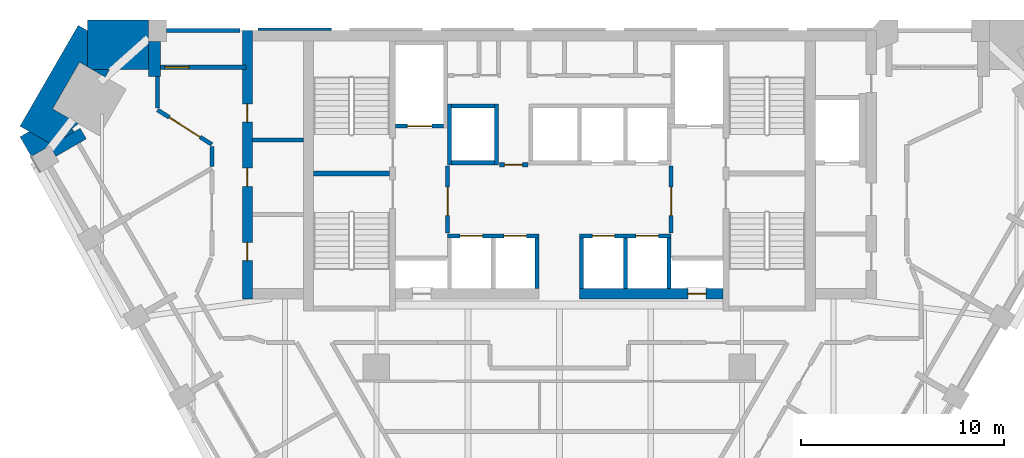
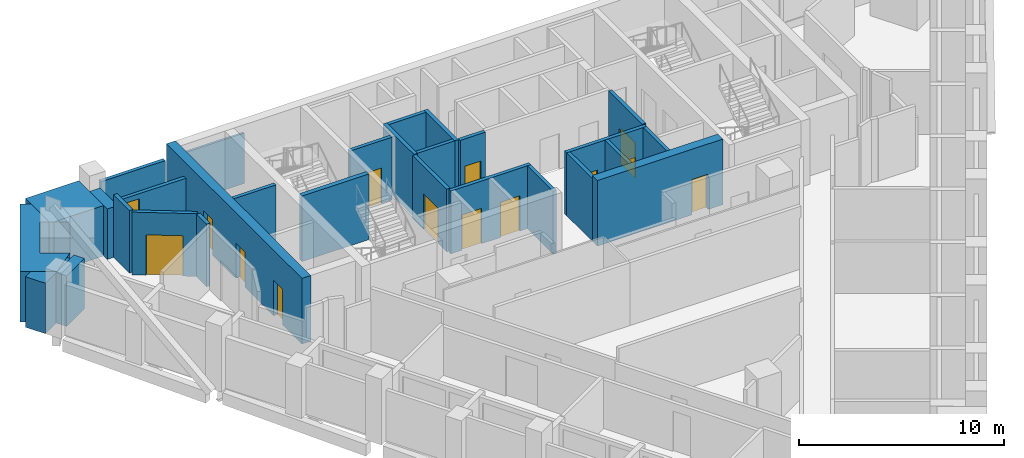
# One storey, part 5 of 9: 30 walls, 14 doors, 14 openings.
"""IFC4 building model written with IfcOpenShell, lengths in metres."""

from ifc_helpers import new_model, si_unit, direction, frame, frame_2d, origin, place, context, subcontext, project, spatial, polyline, rectangle, outline, extrude, material, layer, layer_set, type_object, element, fill, save


model = new_model("IFC4")

# Units and contexts
model_context = context("Model", 3, precision=1e-05, world=origin(), true_north=direction((0.0, 1.0)))
body_context = subcontext(model_context, "Body", "Model", "MODEL_VIEW")
ifc_project = project(units=[si_unit("LENGTHUNIT", "METRE"), si_unit("AREAUNIT", "SQUARE_METRE"), si_unit("VOLUMEUNIT", "CUBIC_METRE"), si_unit("PLANEANGLEUNIT", "RADIAN"), si_unit("MASSUNIT", "GRAM", prefix="KILO")], contexts=[model_context])

# Site, building, storey
site_placement = place(None, origin())
site = spatial("IfcSite", under=ifc_project, at=site_placement, CompositionType="ELEMENT")
building_placement = place(site_placement, origin())
building = spatial("IfcBuilding", under=site, at=building_placement, Name="Calabash Gate Tower", CompositionType="ELEMENT")
storey_placement = place(building_placement, frame((0.0, 0.0, 168.0)))
storey = spatial("IfcBuildingStorey", under=building, at=storey_placement, Name="L39", CompositionType="ELEMENT", Elevation=168.0)

# Walls
ifc_material_1 = material(Name="Terracotta brick masonry, exposed face", Category="masonry")
ifc_layer_1 = layer(ifc_material_1, 2.425048828125)
ifc_layer_set_1 = layer_set([ifc_layer_1], Name="Brick corner mass wall 2425")
wall_type_1 = type_object("IfcWallType", Name="Brick corner mass wall 2425", PredefinedType="SOLIDWALL", material=ifc_layer_set_1)
wall_1_placement = place(storey_placement, origin())
element("IfcWall", 1, at=wall_1_placement, inside=storey, type_object=wall_type_1, Name="Brick corner pier S11 4a", PredefinedType="SOLIDWALL", context=body_context, shape_type="SweptSolid", body=[
    extrude(outline(polyline([(-23.010986328125, 17.152587890625), (-20.220458984375, 17.152587890625), (-20.220458984375, 19.57763671875), (-23.2216796875, 19.57763671875), (-23.2216796875, 17.274169921875), (-23.010986328125, 17.152587890625)])), origin(), (0.0, 0.0, 1.0), 3.0),
])
wall_2_placement = place(storey_placement, origin())
element("IfcWall", 2, at=wall_2_placement, inside=storey, type_object=wall_type_1, Name="Brick corner pier S11 4ba", PredefinedType="SOLIDWALL", context=body_context, shape_type="SweptSolid", body=[
    extrude(outline(polyline([(-23.67138671875, 14.473876953125), (-24.93603515625, 15.2041015625), (-23.611083984375, 17.4990234375), (-23.2216796875, 17.274169921875), (-23.2216796875, 19.052490234375), (-23.676513671875, 19.31494140625), (-26.541748046875, 14.352294921875), (-24.970458984375, 13.4453125), (-23.67138671875, 14.473876953125)])), origin(), (0.0, 0.0, 1.0), 3.0),
])
wall_3_placement = place(storey_placement, origin())
element("IfcWall", 3, at=wall_3_placement, inside=storey, type_object=wall_type_1, Name="Brick corner pier S11 4bb", PredefinedType="SOLIDWALL", context=body_context, shape_type="SweptSolid", body=[
    extrude(outline(polyline([(-22.124755859375, 17.152587890625), (-23.010986328125, 17.152587890625), (-22.346435546875, 16.768798828125), (-22.124755859375, 17.152587890625)])), origin(), (0.0, 0.0, 1.0), 3.0),
])
wall_4_placement = place(storey_placement, origin())
element("IfcWall", 4, at=wall_4_placement, inside=storey, type_object=wall_type_1, Name="Brick corner pier S11 4c", PredefinedType="SOLIDWALL", context=body_context, shape_type="SweptSolid", body=[
    extrude(outline(polyline([(-23.9755859375, 14.23291015625), (-24.970458984375, 13.4453125), (-26.0869140625, 14.08984375), (-26.541748046875, 13.827392578125), (-25.9833984375, 12.8603515625), (-25.07421875, 13.38525390625), (-25.07421875, 13.38525390625), (-23.88330078125, 14.07275390625), (-23.9755859375, 14.23291015625)])), origin(), (0.0, 0.0, 1.0), 3.0),
])
ifc_material_2 = material(Name="Terracotta brick masonry, exposed face", Category="masonry")
ifc_layer_2 = layer(ifc_material_2, 0.300048828125)
ifc_layer_set_2 = layer_set([ifc_layer_2], Name="Brick loggia cheek wall 300")
wall_type_2 = type_object("IfcWallType", Name="Brick loggia cheek wall 300", PredefinedType="SOLIDWALL", material=ifc_layer_set_2)
wall_5_placement = place(storey_placement, frame((-24.924072265625, 13.12548828125, 0.0), z_axis=(0.0, 0.0, 1.0), x_axis=(0.866013532718, 0.500020560727, 0.0)))
element("IfcWall", 5, at=wall_5_placement, inside=storey, type_object=wall_type_2, Name="Loggia cheek S11 SW0.0", PredefinedType="SOLIDWALL", context=body_context, shape_type="SweptSolid", body=[
    extrude(rectangle(XDim=1.72509765625, YDim=0.60009765625, at=frame_2d((0.862548828125, 0.0))), origin(), (0.0, 0.0, 1.0), 3.0),
])
wall_6_placement = place(storey_placement, origin())
element("IfcWall", 6, at=wall_6_placement, inside=storey, type_object=wall_type_2, Name="Loggia cheek S11 N6.9", PredefinedType="SOLIDWALL", context=body_context, shape_type="SweptSolid", body=[
    extrude(outline(polyline([(-20.220458984375, 18.527587890625), (-20.220458984375, 16.802490234375), (-19.620361328125, 16.802490234375), (-19.620361328125, 18.527587890625), (-20.220458984375, 18.527587890625)])), origin(), (0.0, 0.0, 1.0), 3.0),
])
ifc_material_3 = material(Name="Gypsum board on steel studs, mineral wool", Category="steel")
ifc_layer_3 = layer(ifc_material_3, 0.199951171875)
ifc_layer_set_3 = layer_set([ifc_layer_3], Name="Core partition 200 gypsum board")
wall_type_3 = type_object("IfcWallType", Name="Core partition 200 gypsum board", PredefinedType="PARTITIONING", material=ifc_layer_set_3)
wall_7_placement = place(storey_placement, frame((-15.10009765625, 13.672607421875, 0.0), z_axis=(0.0, 0.0, 1.0), x_axis=(1.0, 0.0, 0.0)))
element("IfcWall", 7, at=wall_7_placement, inside=storey, type_object=wall_type_3, Name="Core partition", PredefinedType="PARTITIONING", context=body_context, shape_type="SweptSolid", body=[
    extrude(rectangle(XDim=2.5, YDim=0.199951171875, at=frame_2d((1.25, 0.0))), origin(), (0.0, 0.0, 1.0), 3.72998046875),
])
ifc_material_4 = material(Name="Concrete C70/85", Category="concrete")
ifc_layer_4 = layer(ifc_material_4, 0.25)
ifc_layer_set_4 = layer_set([ifc_layer_4], Name="Core wall 250 Concrete C70/85")
wall_type_4 = type_object("IfcWallType", Name="Core wall 250 Concrete C70/85", PredefinedType="SHEAR", material=ifc_layer_set_4)
wall_8_placement = place(storey_placement, frame((-12.10009765625, 12.027587890625, 0.0), z_axis=(0.0, 0.0, 1.0), x_axis=(1.0, 0.0, 0.0)))
element("IfcWall", 8, at=wall_8_placement, inside=storey, type_object=wall_type_4, Name="Core wall Z3-MIDW L39", PredefinedType="SHEAR", context=body_context, shape_type="SweptSolid", body=[
    extrude(rectangle(XDim=3.75, YDim=0.25, at=frame_2d((1.875, 0.0))), origin(), (0.0, 0.0, 1.0), 3.89990234375),
])

# Wall, opening, door
ifc_material_5 = material(Name="Concrete C70/85", Category="concrete")
ifc_layer_5 = layer(ifc_material_5, 0.5)
ifc_layer_set_5 = layer_set([ifc_layer_5], Name="Core wall 500 Concrete C70/85")
wall_type_5 = type_object("IfcWallType", Name="Core wall 500 Concrete C70/85", PredefinedType="SHEAR", material=ifc_layer_set_5)
wall_9_placement = place(storey_placement, frame((1.0, 6.1025390625, 0.0), z_axis=(0.0, 0.0, 1.0), x_axis=(1.0, 0.0, 0.0)))
wall_9 = element("IfcWall", 9, at=wall_9_placement, inside=storey, type_object=wall_type_5, Name="Core wall Z3-SB L39", PredefinedType="SHEAR", context=body_context, shape_type="SweptSolid", body=[
    extrude(rectangle(XDim=7.050048828125, YDim=0.5, at=frame_2d((3.52490234375, 0.0))), origin(), (0.0, 0.0, 1.0), 3.89990234375),
])
opening_1_placement = place(wall_9_placement, frame((5.324951171875, 0.0, 0.0)))
opening_1 = element("IfcOpeningElement", 10, at=opening_1_placement, cuts=wall_9, Name="Opening O3-015", PredefinedType="OPENING", context=body_context, shape_type="SweptSolid", body=[
    extrude(rectangle(XDim=0.89990234375, YDim=2.10009765625, at=frame_2d((0.449951171875, 1.050048828125))), frame((0.0, 0.260009765625, 0.0), z_axis=(0.0, -1.0, 0.0), x_axis=(1.0, 0.0, 0.0)), (0.0, 0.0, 1.0), 0.52001953125),
])
ifc_material_6 = material(Name="Steel fire door set with fire-resisting glazing", Category="steel")
door_type_1 = type_object("IfcDoorType", Name="Fire door D07 900x2100 FD90", OperationType="NOTDEFINED", PredefinedType="DOOR", material=ifc_material_6)
door_1_placement = place(opening_1_placement, origin())
door_1 = element("IfcDoor", 11, at=door_1_placement, inside=storey, type_object=door_type_1, Name="Mechanical Riser E door", OperationType="SINGLE_SWING_RIGHT", OverallHeight=2.10009765625, OverallWidth=0.89990234375, PredefinedType="DOOR", context=body_context, shape_type="SweptSolid", body=[
    extrude(rectangle(XDim=0.89990234375, YDim=2.10009765625, at=frame_2d((0.449951171875, 1.050048828125))), frame((0.0, 0.02490234375, 0.0), z_axis=(0.0, -1.0, 0.0), x_axis=(1.0, 0.0, 0.0)), (0.0, 0.0, 1.0), 0.050048828125),
])
fill(opening_1, door_1)

# Wall, openings, doors
wall_10_placement = place(storey_placement, frame((-15.35009765625, 5.8525390625, 0.0), z_axis=(0.0, 0.0, 1.0), x_axis=(0.0, 1.0, 0.0)))
wall_10 = element("IfcWall", 12, at=wall_10_placement, inside=storey, type_object=wall_type_5, Name="Core wall Z3-ENDW L39", PredefinedType="SHEAR", context=body_context, shape_type="SweptSolid", body=[
    extrude(rectangle(XDim=13.199951171875, YDim=0.5, at=frame_2d((6.60009765625, 0.0))), origin(), (0.0, 0.0, 1.0), 3.89990234375),
])
opening_2_placement = place(wall_10_placement, frame((1.8798828125, 0.0, 0.0)))
opening_2 = element("IfcOpeningElement", 13, at=opening_2_placement, cuts=wall_10, Name="Opening O3-004", PredefinedType="OPENING", context=body_context, shape_type="SweptSolid", body=[
    extrude(rectangle(XDim=0.89990234375, YDim=2.10009765625, at=frame_2d((0.449951171875, 1.050048828125))), frame((0.0, 0.260009765625, 0.0), z_axis=(0.0, -1.0, 0.0), x_axis=(1.0, 0.0, 0.0)), (0.0, 0.0, 1.0), 0.52001953125),
])
opening_3_placement = place(wall_10_placement, frame((5.5400390625, 0.0, 0.0)))
opening_3 = element("IfcOpeningElement", 14, at=opening_3_placement, cuts=wall_10, Name="Opening O3-005", PredefinedType="OPENING", context=body_context, shape_type="SweptSolid", body=[
    extrude(rectangle(XDim=0.89990234375, YDim=2.10009765625, at=frame_2d((0.449951171875, 1.050048828125))), frame((0.0, 0.260009765625, 0.0), z_axis=(0.0, -1.0, 0.0), x_axis=(1.0, 0.0, 0.0)), (0.0, 0.0, 1.0), 0.52001953125),
])
opening_4_placement = place(wall_10_placement, frame((8.697509765625, 0.0, 0.0)))
opening_4 = element("IfcOpeningElement", 15, at=opening_4_placement, cuts=wall_10, Name="Opening O3-006", PredefinedType="OPENING", context=body_context, shape_type="SweptSolid", body=[
    extrude(rectangle(XDim=0.89990234375, YDim=2.10009765625, at=frame_2d((0.449951171875, 1.050048828125))), frame((0.0, 0.260009765625, 0.0), z_axis=(0.0, -1.0, 0.0), x_axis=(1.0, 0.0, 0.0)), (0.0, 0.0, 1.0), 0.52001953125),
])
ifc_material_7 = material(Name="Steel fire door set with fire-resisting glazing", Category="steel")
door_type_2 = type_object("IfcDoorType", Name="Fire door D06 900x2100 FD60", OperationType="NOTDEFINED", PredefinedType="DOOR", material=ifc_material_7)
door_2_placement = place(opening_2_placement, origin())
door_2 = element("IfcDoor", 16, at=door_2_placement, inside=storey, type_object=door_type_2, Name="Cleaner's Store door", OperationType="SINGLE_SWING_LEFT", OverallHeight=2.10009765625, OverallWidth=0.89990234375, PredefinedType="DOOR", context=body_context, shape_type="SweptSolid", body=[
    extrude(rectangle(XDim=0.89990234375, YDim=2.10009765625, at=frame_2d((0.449951171875, 1.050048828125))), frame((0.0, 0.02490234375, 0.0), z_axis=(0.0, -1.0, 0.0), x_axis=(1.0, 0.0, 0.0)), (0.0, 0.0, 1.0), 0.050048828125),
])
fill(opening_2, door_2)
door_3_placement = place(opening_3_placement, origin())
door_3 = element("IfcDoor", 17, at=door_3_placement, inside=storey, type_object=door_type_2, Name="Print Room door", OperationType="SINGLE_SWING_LEFT", OverallHeight=2.10009765625, OverallWidth=0.89990234375, PredefinedType="DOOR", context=body_context, shape_type="SweptSolid", body=[
    extrude(rectangle(XDim=0.89990234375, YDim=2.10009765625, at=frame_2d((0.449951171875, 1.050048828125))), frame((0.0, 0.02490234375, 0.0), z_axis=(0.0, -1.0, 0.0), x_axis=(1.0, 0.0, 0.0)), (0.0, 0.0, 1.0), 0.050048828125),
])
fill(opening_3, door_3)
door_4_placement = place(opening_4_placement, origin())
door_4 = element("IfcDoor", 18, at=door_4_placement, inside=storey, type_object=door_type_2, Name="Meter Room door", OperationType="SINGLE_SWING_LEFT", OverallHeight=2.10009765625, OverallWidth=0.89990234375, PredefinedType="DOOR", context=body_context, shape_type="SweptSolid", body=[
    extrude(rectangle(XDim=0.89990234375, YDim=2.10009765625, at=frame_2d((0.449951171875, 1.050048828125))), frame((0.0, 0.02490234375, 0.0), z_axis=(0.0, -1.0, 0.0), x_axis=(1.0, 0.0, 0.0)), (0.0, 0.0, 1.0), 0.050048828125),
])
fill(opening_4, door_4)

# Wall
ifc_material_8 = material(Name="Gypsum board on steel studs, mineral wool", Category="steel")
ifc_layer_6 = layer(ifc_material_8, 0.199951171875)
ifc_layer_set_6 = layer_set([ifc_layer_6], Name="Partition 200 gypsum board EI 60")
wall_type_6 = type_object("IfcWallType", Name="Partition 200 gypsum board EI 60", PredefinedType="PARTITIONING", material=ifc_layer_set_6)
wall_11_placement = place(storey_placement, frame((-17.101806640625, 12.372314453125, 0.0), z_axis=(0.0, 0.0, 1.0), x_axis=(0.001245639293, 0.999999224191, 0.0)))
element("IfcWall", 19, at=wall_11_placement, inside=storey, type_object=wall_type_6, Name="Partition", PredefinedType="PARTITIONING", context=body_context, shape_type="SweptSolid", body=[
    extrude(rectangle(XDim=0.97998046875, YDim=0.199951171875, at=frame_2d((0.489990234375, 0.0))), origin(), (0.0, 0.0, 1.0), 3.72998046875),
])

# Wall, opening, door
wall_12_placement = place(storey_placement, frame((-19.770751953125, 15.15234375, 0.0), z_axis=(0.0, 0.0, 1.0), x_axis=(0.843553490885, -0.537045163851, 0.0)))
wall_12 = element("IfcWall", 20, at=wall_12_placement, inside=storey, type_object=wall_type_6, Name="Partition", PredefinedType="PARTITIONING", context=body_context, shape_type="SweptSolid", body=[
    extrude(rectangle(XDim=3.165283203125, YDim=0.199951171875, at=frame_2d((1.58251953125, 0.0))), origin(), (0.0, 0.0, 1.0), 3.72998046875),
])
opening_5_placement = place(wall_12_placement, frame((0.682861328125, 0.0, 0.0)))
opening_5 = element("IfcOpeningElement", 21, at=opening_5_placement, cuts=wall_12, Name="Opening 39-41-010", PredefinedType="OPENING", context=body_context, shape_type="SweptSolid", body=[
    extrude(rectangle(XDim=1.800048828125, YDim=2.39990234375, at=frame_2d((0.89990234375, 1.199951171875))), frame((0.0, 0.10986328125, 0.0), z_axis=(0.0, -1.0, 0.0), x_axis=(1.0, 0.0, 0.0)), (0.0, 0.0, 1.0), 0.219970703125),
])
ifc_material_9 = material(Name="Steel fire door set with fire-resisting glazing", Category="steel")
door_type_3 = type_object("IfcDoorType", Name="OD5 Open office double door 1800x2400", OperationType="NOTDEFINED", PredefinedType="DOOR", material=ifc_material_9)
door_5_placement = place(opening_5_placement, origin())
door_5 = element("IfcDoor", 22, at=door_5_placement, inside=storey, type_object=door_type_3, Name="Open office double door", OperationType="DOUBLE_DOOR_SINGLE_SWING", OverallHeight=2.39990234375, OverallWidth=1.800048828125, PredefinedType="DOOR", context=body_context, shape_type="SweptSolid", body=[
    extrude(rectangle(XDim=1.800048828125, YDim=2.39990234375, at=frame_2d((0.89990234375, 1.199951171875))), frame((0.0, 0.02490234375, 0.0), z_axis=(0.0, -1.0, 0.0), x_axis=(1.0, 0.0, 0.0)), (0.0, 0.0, 1.0), 0.050048828125),
])
fill(opening_5, door_5)

# Walls
wall_13_placement = place(storey_placement, frame((-19.770751953125, 16.802490234375, 0.0), z_axis=(0.0, 0.0, 1.0), x_axis=(0.0, -1.0, 0.0)))
element("IfcWall", 23, at=wall_13_placement, inside=storey, type_object=wall_type_6, Name="Partition", PredefinedType="PARTITIONING", context=body_context, shape_type="SweptSolid", body=[
    extrude(rectangle(XDim=1.55029296875, YDim=0.199951171875, at=frame_2d((0.775146484375, 0.0))), origin(), (0.0, 0.0, 1.0), 3.72998046875),
])
ifc_material_10 = material(Name="Concrete C40/50", Category="concrete")
ifc_layer_7 = layer(ifc_material_10, 0.199951171875)
ifc_layer_set_7 = layer_set([ifc_layer_7], Name="Shaft wall 200 Concrete C40/50")
wall_type_7 = type_object("IfcWallType", Name="Shaft wall 200 Concrete C40/50", PredefinedType="SOLIDWALL", material=ifc_layer_set_7)
for number, where, z_axis, x_axis, name in (
    (24, (-1.10009765625, 6.3525390625, 0.0), (0.0, 0.0, 1.0), (0.0, 1.0, 0.0), "Shaft wall"),
    (25, (1.10009765625, 6.3525390625, 0.0), (0.0, 0.0, 1.0), (0.0, 1.0, 0.0), "Shaft wall"),
    (26, (3.25, 6.3525390625, 0.0), (0.0, 0.0, 1.0), (0.0, 1.0, 0.0), "Shaft wall"),
    (27, (5.39990234375, 6.3525390625, 0.0), (0.0, 0.0, 1.0), (0.0, 1.0, 0.0), "Shaft wall"),
):
    element("IfcWall", number, at=place(storey_placement, frame(where, z_axis=z_axis, x_axis=x_axis)), inside=storey, type_object=wall_type_7, Name=name, PredefinedType="SOLIDWALL", context=body_context, shape_type="SweptSolid", body=[
        extrude(rectangle(XDim=2.5, YDim=0.199951171875, at=frame_2d((1.25, 0.0))), origin(), (0.0, 0.0, 1.0), 3.72998046875),
    ])

# Wall, openings, doors
wall_14_placement = place(storey_placement, frame((-5.5, 8.95263671875, 0.0), z_axis=(0.0, 0.0, 1.0), x_axis=(1.0, 0.0, 0.0)))
wall_14 = element("IfcWall", 28, at=wall_14_placement, inside=storey, type_object=wall_type_7, Name="Shaft wall", PredefinedType="SOLIDWALL", context=body_context, shape_type="SweptSolid", body=[
    extrude(rectangle(XDim=4.5, YDim=0.199951171875, at=frame_2d((2.25, 0.0))), origin(), (0.0, 0.0, 1.0), 3.72998046875),
])
opening_6_placement = place(wall_14_placement, frame((0.625, 0.0, 0.0)))
opening_6 = element("IfcOpeningElement", 29, at=opening_6_placement, cuts=wall_14, Name="Opening LD-HR1", PredefinedType="OPENING", context=body_context, shape_type="SweptSolid", body=[
    extrude(rectangle(XDim=1.10009765625, YDim=2.10009765625, at=frame_2d((0.550048828125, 1.050048828125))), frame((0.0, 0.10986328125, 0.0), z_axis=(0.0, -1.0, 0.0), x_axis=(1.0, 0.0, 0.0)), (0.0, 0.0, 1.0), 0.219970703125),
])
opening_7_placement = place(wall_14_placement, frame((2.77490234375, 0.0, 0.0)))
opening_7 = element("IfcOpeningElement", 30, at=opening_7_placement, cuts=wall_14, Name="Opening LD-HR2", PredefinedType="OPENING", context=body_context, shape_type="SweptSolid", body=[
    extrude(rectangle(XDim=1.10009765625, YDim=2.10009765625, at=frame_2d((0.550048828125, 1.050048828125))), frame((0.0, 0.10986328125, 0.0), z_axis=(0.0, -1.0, 0.0), x_axis=(1.0, 0.0, 0.0)), (0.0, 0.0, 1.0), 0.219970703125),
])
ifc_material_11 = material(Name="Stainless steel sliding door leaves", Category="steel")
door_type_4 = type_object("IfcDoorType", Name="Lift landing door LS1 1100x2100 FD90", OperationType="DOUBLE_DOOR_SLIDING", PredefinedType="DOOR", material=ifc_material_11)
door_6_placement = place(opening_6_placement, origin())
door_6 = element("IfcDoor", 31, at=door_6_placement, inside=storey, type_object=door_type_4, Name="Lift landing door HR1", OperationType="DOUBLE_DOOR_SLIDING", OverallHeight=2.10009765625, OverallWidth=1.10009765625, PredefinedType="DOOR", context=body_context, shape_type="SweptSolid", body=[
    extrude(rectangle(XDim=1.10009765625, YDim=2.10009765625, at=frame_2d((0.550048828125, 1.050048828125))), frame((0.0, 0.02490234375, 0.0), z_axis=(0.0, -1.0, 0.0), x_axis=(1.0, 0.0, 0.0)), (0.0, 0.0, 1.0), 0.050048828125),
])
fill(opening_6, door_6)
door_7_placement = place(opening_7_placement, origin())
door_7 = element("IfcDoor", 32, at=door_7_placement, inside=storey, type_object=door_type_4, Name="Lift landing door HR2", OperationType="DOUBLE_DOOR_SLIDING", OverallHeight=2.10009765625, OverallWidth=1.10009765625, PredefinedType="DOOR", context=body_context, shape_type="SweptSolid", body=[
    extrude(rectangle(XDim=1.10009765625, YDim=2.10009765625, at=frame_2d((0.550048828125, 1.050048828125))), frame((0.0, 0.02490234375, 0.0), z_axis=(0.0, -1.0, 0.0), x_axis=(1.0, 0.0, 0.0)), (0.0, 0.0, 1.0), 0.050048828125),
])
fill(opening_7, door_7)

wall_15_placement = place(storey_placement, frame((1.0, 8.95263671875, 0.0), z_axis=(0.0, 0.0, 1.0), x_axis=(1.0, 0.0, 0.0)))
wall_15 = element("IfcWall", 33, at=wall_15_placement, inside=storey, type_object=wall_type_7, Name="Shaft wall", PredefinedType="SOLIDWALL", context=body_context, shape_type="SweptSolid", body=[
    extrude(rectangle(XDim=4.5, YDim=0.199951171875, at=frame_2d((2.25, 0.0))), origin(), (0.0, 0.0, 1.0), 3.72998046875),
])
opening_8_placement = place(wall_15_placement, frame((0.625, 0.0, 0.0)))
opening_8 = element("IfcOpeningElement", 34, at=opening_8_placement, cuts=wall_15, Name="Opening LD-HR3", PredefinedType="OPENING", context=body_context, shape_type="SweptSolid", body=[
    extrude(rectangle(XDim=1.10009765625, YDim=2.10009765625, at=frame_2d((0.550048828125, 1.050048828125))), frame((0.0, 0.10986328125, 0.0), z_axis=(0.0, -1.0, 0.0), x_axis=(1.0, 0.0, 0.0)), (0.0, 0.0, 1.0), 0.219970703125),
])
opening_9_placement = place(wall_15_placement, frame((2.77490234375, 0.0, 0.0)))
opening_9 = element("IfcOpeningElement", 35, at=opening_9_placement, cuts=wall_15, Name="Opening LD-HR4", PredefinedType="OPENING", context=body_context, shape_type="SweptSolid", body=[
    extrude(rectangle(XDim=1.10009765625, YDim=2.10009765625, at=frame_2d((0.550048828125, 1.050048828125))), frame((0.0, 0.10986328125, 0.0), z_axis=(0.0, -1.0, 0.0), x_axis=(1.0, 0.0, 0.0)), (0.0, 0.0, 1.0), 0.219970703125),
])
door_8_placement = place(opening_8_placement, origin())
door_8 = element("IfcDoor", 36, at=door_8_placement, inside=storey, type_object=door_type_4, Name="Lift landing door HR3", OperationType="DOUBLE_DOOR_SLIDING", OverallHeight=2.10009765625, OverallWidth=1.10009765625, PredefinedType="DOOR", context=body_context, shape_type="SweptSolid", body=[
    extrude(rectangle(XDim=1.10009765625, YDim=2.10009765625, at=frame_2d((0.550048828125, 1.050048828125))), frame((0.0, 0.02490234375, 0.0), z_axis=(0.0, -1.0, 0.0), x_axis=(1.0, 0.0, 0.0)), (0.0, 0.0, 1.0), 0.050048828125),
])
fill(opening_8, door_8)
door_9_placement = place(opening_9_placement, origin())
door_9 = element("IfcDoor", 37, at=door_9_placement, inside=storey, type_object=door_type_4, Name="Lift landing door HR4", OperationType="DOUBLE_DOOR_SLIDING", OverallHeight=2.10009765625, OverallWidth=1.10009765625, PredefinedType="DOOR", context=body_context, shape_type="SweptSolid", body=[
    extrude(rectangle(XDim=1.10009765625, YDim=2.10009765625, at=frame_2d((0.550048828125, 1.050048828125))), frame((0.0, 0.02490234375, 0.0), z_axis=(0.0, -1.0, 0.0), x_axis=(1.0, 0.0, 0.0)), (0.0, 0.0, 1.0), 0.050048828125),
])
fill(opening_9, door_9)

# Wall, opening, door
wall_16_placement = place(storey_placement, frame((-5.5, 9.1025390625, 0.0), z_axis=(0.0, 0.0, 1.0), x_axis=(0.0, 1.0, 0.0)))
wall_16 = element("IfcWall", 38, at=wall_16_placement, inside=storey, type_object=wall_type_7, Name="Shaft wall", PredefinedType="SOLIDWALL", context=body_context, shape_type="SweptSolid", body=[
    extrude(rectangle(XDim=3.300048828125, YDim=0.199951171875, at=frame_2d((1.64990234375, 0.0))), origin(), (0.0, 0.0, 1.0), 3.72998046875),
])
opening_10_placement = place(wall_16_placement, frame((0.85009765625, 0.0, 0.0)))
opening_10 = element("IfcOpeningElement", 39, at=opening_10_placement, cuts=wall_16, Name="Opening O3-009", PredefinedType="OPENING", context=body_context, shape_type="SweptSolid", body=[
    extrude(rectangle(XDim=1.39990234375, YDim=2.10009765625, at=frame_2d((0.699951171875, 1.050048828125))), frame((0.0, 0.10986328125, 0.0), z_axis=(0.0, -1.0, 0.0), x_axis=(1.0, 0.0, 0.0)), (0.0, 0.0, 1.0), 0.219970703125),
])
ifc_material_12 = material(Name="Steel fire door set with fire-resisting glazing", Category="steel")
door_type_5 = type_object("IfcDoorType", Name="Fire door D05 1400x2100 FD90", OperationType="NOTDEFINED", PredefinedType="DOOR", material=ifc_material_12)
door_10_placement = place(opening_10_placement, origin())
door_10 = element("IfcDoor", 40, at=door_10_placement, inside=storey, type_object=door_type_5, Name="Firefighting Lobby W door", OperationType="SINGLE_SWING_RIGHT", OverallHeight=2.10009765625, OverallWidth=1.39990234375, PredefinedType="DOOR", context=body_context, shape_type="SweptSolid", body=[
    extrude(rectangle(XDim=1.39990234375, YDim=2.10009765625, at=frame_2d((0.699951171875, 1.050048828125))), frame((0.0, 0.02490234375, 0.0), z_axis=(0.0, -1.0, 0.0), x_axis=(1.0, 0.0, 0.0)), (0.0, 0.0, 1.0), 0.050048828125),
])
fill(opening_10, door_10)

wall_17_placement = place(storey_placement, frame((5.5, 9.1025390625, 0.0), z_axis=(0.0, 0.0, 1.0), x_axis=(0.0, 1.0, 0.0)))
wall_17 = element("IfcWall", 41, at=wall_17_placement, inside=storey, type_object=wall_type_7, Name="Shaft wall", PredefinedType="SOLIDWALL", context=body_context, shape_type="SweptSolid", body=[
    extrude(rectangle(XDim=3.300048828125, YDim=0.199951171875, at=frame_2d((1.64990234375, 0.0))), origin(), (0.0, 0.0, 1.0), 3.72998046875),
])
opening_11_placement = place(wall_17_placement, frame((0.85009765625, 0.0, 0.0)))
opening_11 = element("IfcOpeningElement", 42, at=opening_11_placement, cuts=wall_17, Name="Opening O3-008", PredefinedType="OPENING", context=body_context, shape_type="SweptSolid", body=[
    extrude(rectangle(XDim=1.39990234375, YDim=2.10009765625, at=frame_2d((0.699951171875, 1.050048828125))), frame((0.0, 0.10986328125, 0.0), z_axis=(0.0, -1.0, 0.0), x_axis=(1.0, 0.0, 0.0)), (0.0, 0.0, 1.0), 0.219970703125),
])
door_11_placement = place(opening_11_placement, origin())
door_11 = element("IfcDoor", 43, at=door_11_placement, inside=storey, type_object=door_type_5, Name="Firefighting Lobby E door", OperationType="SINGLE_SWING_LEFT", OverallHeight=2.10009765625, OverallWidth=1.39990234375, PredefinedType="DOOR", context=body_context, shape_type="SweptSolid", body=[
    extrude(rectangle(XDim=1.39990234375, YDim=2.10009765625, at=frame_2d((0.699951171875, 1.050048828125))), frame((0.0, 0.02490234375, 0.0), z_axis=(0.0, -1.0, 0.0), x_axis=(1.0, 0.0, 0.0)), (0.0, 0.0, 1.0), 0.050048828125),
])
fill(opening_11, door_11)

wall_18_placement = place(storey_placement, frame((-2.949951171875, 12.45263671875, 0.0), z_axis=(0.0, 0.0, 1.0), x_axis=(1.0, 0.0, 0.0)))
wall_18 = element("IfcWall", 44, at=wall_18_placement, inside=storey, type_object=wall_type_7, Name="Shaft wall", PredefinedType="SOLIDWALL", context=body_context, shape_type="SweptSolid", body=[
    extrude(rectangle(XDim=1.39990234375, YDim=0.199951171875, at=frame_2d((0.699951171875, 0.0))), origin(), (0.0, 0.0, 1.0), 3.72998046875),
])
opening_12_placement = place(wall_18_placement, frame((0.25, 0.0, 0.0)))
opening_12 = element("IfcOpeningElement", 45, at=opening_12_placement, cuts=wall_18, Name="Opening O3-007", PredefinedType="OPENING", context=body_context, shape_type="SweptSolid", body=[
    extrude(rectangle(XDim=0.89990234375, YDim=2.10009765625, at=frame_2d((0.449951171875, 1.050048828125))), frame((0.0, 0.10986328125, 0.0), z_axis=(0.0, -1.0, 0.0), x_axis=(1.0, 0.0, 0.0)), (0.0, 0.0, 1.0), 0.219970703125),
])
door_12_placement = place(opening_12_placement, origin())
door_12 = element("IfcDoor", 46, at=door_12_placement, inside=storey, type_object=door_type_2, Name="Service Corridor door", OperationType="SINGLE_SWING_RIGHT", OverallHeight=2.10009765625, OverallWidth=0.89990234375, PredefinedType="DOOR", context=body_context, shape_type="SweptSolid", body=[
    extrude(rectangle(XDim=0.89990234375, YDim=2.10009765625, at=frame_2d((0.449951171875, 1.050048828125))), frame((0.0, 0.02490234375, 0.0), z_axis=(0.0, -1.0, 0.0), x_axis=(1.0, 0.0, 0.0)), (0.0, 0.0, 1.0), 0.050048828125),
])
fill(opening_12, door_12)

# Walls
wall_19_placement = place(storey_placement, frame((-5.39990234375, 12.45263671875, 0.0), z_axis=(0.0, 0.0, 1.0), x_axis=(0.0, 1.0, 0.0)))
element("IfcWall", 47, at=wall_19_placement, inside=storey, type_object=wall_type_7, Name="Shaft wall", PredefinedType="SOLIDWALL", context=body_context, shape_type="SweptSolid", body=[
    extrude(rectangle(XDim=3.0, YDim=0.199951171875, at=frame_2d((1.5, 0.0))), origin(), (0.0, 0.0, 1.0), 3.72998046875),
])
wall_20_placement = place(storey_placement, frame((-5.300048828125, 12.552490234375, 0.0), z_axis=(0.0, 0.0, 1.0), x_axis=(1.0, 0.0, 0.0)))
element("IfcWall", 48, at=wall_20_placement, inside=storey, type_object=wall_type_7, Name="Shaft wall", PredefinedType="SOLIDWALL", context=body_context, shape_type="SweptSolid", body=[
    extrude(rectangle(XDim=2.10009765625, YDim=0.199951171875, at=frame_2d((1.050048828125, 0.0))), origin(), (0.0, 0.0, 1.0), 3.72998046875),
])
wall_21_placement = place(storey_placement, frame((-3.10009765625, 12.45263671875, 0.0), z_axis=(0.0, 0.0, 1.0), x_axis=(0.0, 1.0, 0.0)))
element("IfcWall", 49, at=wall_21_placement, inside=storey, type_object=wall_type_7, Name="Shaft wall", PredefinedType="SOLIDWALL", context=body_context, shape_type="SweptSolid", body=[
    extrude(rectangle(XDim=3.0, YDim=0.199951171875, at=frame_2d((1.5, 0.0))), origin(), (0.0, 0.0, 1.0), 3.72998046875),
])

# Wall, opening, door
wall_22_placement = place(storey_placement, frame((-8.050048828125, 14.3525390625, 0.0), z_axis=(0.0, 0.0, 1.0), x_axis=(1.0, 0.0, 0.0)))
wall_22 = element("IfcWall", 50, at=wall_22_placement, inside=storey, type_object=wall_type_7, Name="Shaft wall", PredefinedType="SOLIDWALL", context=body_context, shape_type="SweptSolid", body=[
    extrude(rectangle(XDim=2.35009765625, YDim=0.199951171875, at=frame_2d((1.175048828125, 0.0))), origin(), (0.0, 0.0, 1.0), 3.72998046875),
])
opening_13_placement = place(wall_22_placement, frame((0.574951171875, 0.0, 0.0)))
opening_13 = element("IfcOpeningElement", 51, at=opening_13_placement, cuts=wall_22, Name="Opening LD-FF1", PredefinedType="OPENING", context=body_context, shape_type="SweptSolid", body=[
    extrude(rectangle(XDim=1.199951171875, YDim=2.10009765625, at=frame_2d((0.60009765625, 1.050048828125))), frame((0.0, 0.10986328125, 0.0), z_axis=(0.0, -1.0, 0.0), x_axis=(1.0, 0.0, 0.0)), (0.0, 0.0, 1.0), 0.219970703125),
])
ifc_material_13 = material(Name="Stainless steel sliding door leaves", Category="steel")
door_type_6 = type_object("IfcDoorType", Name="Lift landing door LS3 1200x2100 FD90", OperationType="DOUBLE_DOOR_SLIDING", PredefinedType="DOOR", material=ifc_material_13)
door_13_placement = place(opening_13_placement, origin())
door_13 = element("IfcDoor", 52, at=door_13_placement, inside=storey, type_object=door_type_6, Name="Lift landing door FF1", OperationType="DOUBLE_DOOR_SLIDING", OverallHeight=2.10009765625, OverallWidth=1.199951171875, PredefinedType="DOOR", context=body_context, shape_type="SweptSolid", body=[
    extrude(rectangle(XDim=1.199951171875, YDim=2.10009765625, at=frame_2d((0.60009765625, 1.050048828125))), frame((0.0, 0.02490234375, 0.0), z_axis=(0.0, -1.0, 0.0), x_axis=(1.0, 0.0, 0.0)), (0.0, 0.0, 1.0), 0.050048828125),
])
fill(opening_13, door_13)

# Walls
wall_23_placement = place(storey_placement, frame((-5.300048828125, 15.3525390625, 0.0), z_axis=(0.0, 0.0, 1.0), x_axis=(1.0, 0.0, 0.0)))
element("IfcWall", 53, at=wall_23_placement, inside=storey, type_object=wall_type_7, Name="Shaft wall", PredefinedType="SOLIDWALL", context=body_context, shape_type="SweptSolid", body=[
    extrude(rectangle(XDim=2.10009765625, YDim=0.199951171875, at=frame_2d((1.050048828125, 0.0))), origin(), (0.0, 0.0, 1.0), 3.72998046875),
])
ifc_material_14 = material(Name="Terracotta brick masonry, perforated", Category="masonry")
ifc_layer_8 = layer(ifc_material_14, 0.199951171875)
ifc_layer_set_8 = layer_set([ifc_layer_8], Name="Terracotta jaali screen A")
wall_type_8 = type_object("IfcWallType", Name="Terracotta jaali screen A", PredefinedType="SOLIDWALL", material=ifc_layer_set_8)
wall_24_placement = place(storey_placement, frame((-15.720458984375, 19.052490234375, 0.0), z_axis=(0.0, 0.0, 1.0), x_axis=(-1.0, 0.0, 0.0)))
element("IfcWall", 54, at=wall_24_placement, inside=storey, type_object=wall_type_8, Name="SCREEN A S11 N6.9", PredefinedType="SOLIDWALL", context=body_context, shape_type="SweptSolid", body=[
    extrude(rectangle(XDim=3.599853515625, YDim=0.199951171875, at=frame_2d((1.7998046875, 0.0))), origin(), (0.0, 0.0, 1.0), 3.0),
])
ifc_material_15 = material(Name="Terracotta louvre blades in an aluminium frame", Category="masonry")
ifc_layer_9 = layer(ifc_material_15, 0.1201171875)
ifc_layer_set_9 = layer_set([ifc_layer_9], Name="Terracotta vent louvre cladding 120")
wall_type_9 = type_object("IfcWallType", Name="Terracotta vent louvre cladding 120", PredefinedType="ELEMENTEDWALL", material=ifc_layer_set_9)
wall_25_placement = place(storey_placement, origin())
element("IfcWall", 55, at=wall_25_placement, inside=storey, type_object=wall_type_9, Name="Vent louvre cladding S11 N6.8", PredefinedType="ELEMENTEDWALL", context=body_context, shape_type="SweptSolid", body=[
    extrude(outline(polyline([(-14.8203125, 19.172607421875), (-14.8203125, 19.052490234375), (-11.220458984375, 19.052490234375), (-11.220458984375, 19.172607421875), (-14.8203125, 19.172607421875)])), origin(), (0.0, 0.0, 1.0), 3.0),
])

# Wall, opening, door
ifc_material_16 = material(Name="Aluminium framed window wall with insulated spandrel", Category="aluminium")
ifc_layer_10 = layer(ifc_material_16, 0.199951171875)
ifc_layer_set_10 = layer_set([ifc_layer_10], Name="Window wall 200")
wall_type_10 = type_object("IfcWallType", Name="Window wall 200", PredefinedType="ELEMENTEDWALL", material=ifc_layer_set_10)
wall_26_placement = place(storey_placement, frame((-15.42041015625, 17.25244140625, 0.0), z_axis=(0.0, 0.0, 1.0), x_axis=(-1.0, 0.0, 0.0)))
wall_26 = element("IfcWall", 56, at=wall_26_placement, inside=storey, type_object=wall_type_10, Name="Window wall S11 N6.9", PredefinedType="ELEMENTEDWALL", context=body_context, shape_type="SweptSolid", body=[
    extrude(rectangle(XDim=4.199951171875, YDim=0.199951171875, at=frame_2d((2.10009765625, 0.0))), origin(), (0.0, 0.0, 1.0), 3.0),
])
opening_14_placement = place(wall_26_placement, frame((2.800048828125, 0.0, 0.0)))
opening_14 = element("IfcOpeningElement", 57, at=opening_14_placement, cuts=wall_26, Name="Opening O3-022", PredefinedType="OPENING", context=body_context, shape_type="SweptSolid", body=[
    extrude(rectangle(XDim=1.199951171875, YDim=2.699951171875, at=frame_2d((0.60009765625, 1.35009765625))), frame((0.0, 0.10986328125, 0.0), z_axis=(0.0, -1.0, 0.0), x_axis=(1.0, 0.0, 0.0)), (0.0, 0.0, 1.0), 0.219970703125),
])
ifc_material_17 = material(Name="Anodised aluminium frame, bronze finish, impact-rated laminated clear glazing", Category="aluminium")
door_type_7 = type_object("IfcDoorType", Name="Loggia door DO1 1200x2700", OperationType="SLIDING_TO_LEFT", PredefinedType="DOOR", material=ifc_material_17)
door_14_placement = place(opening_14_placement, origin())
door_14 = element("IfcDoor", 58, at=door_14_placement, inside=storey, type_object=door_type_7, Name="Loggia door S11 N6.9", OperationType="SINGLE_SWING_LEFT", OverallHeight=2.699951171875, OverallWidth=1.199951171875, PredefinedType="DOOR", context=body_context, shape_type="SweptSolid", body=[
    extrude(rectangle(XDim=1.199951171875, YDim=2.699951171875, at=frame_2d((0.60009765625, 1.35009765625))), frame((0.0, 0.02490234375, 0.0), z_axis=(0.0, -1.0, 0.0), x_axis=(1.0, 0.0, 0.0)), (0.0, 0.0, 1.0), 0.050048828125),
])
fill(opening_14, door_14)

save(model, "model.ifc")
